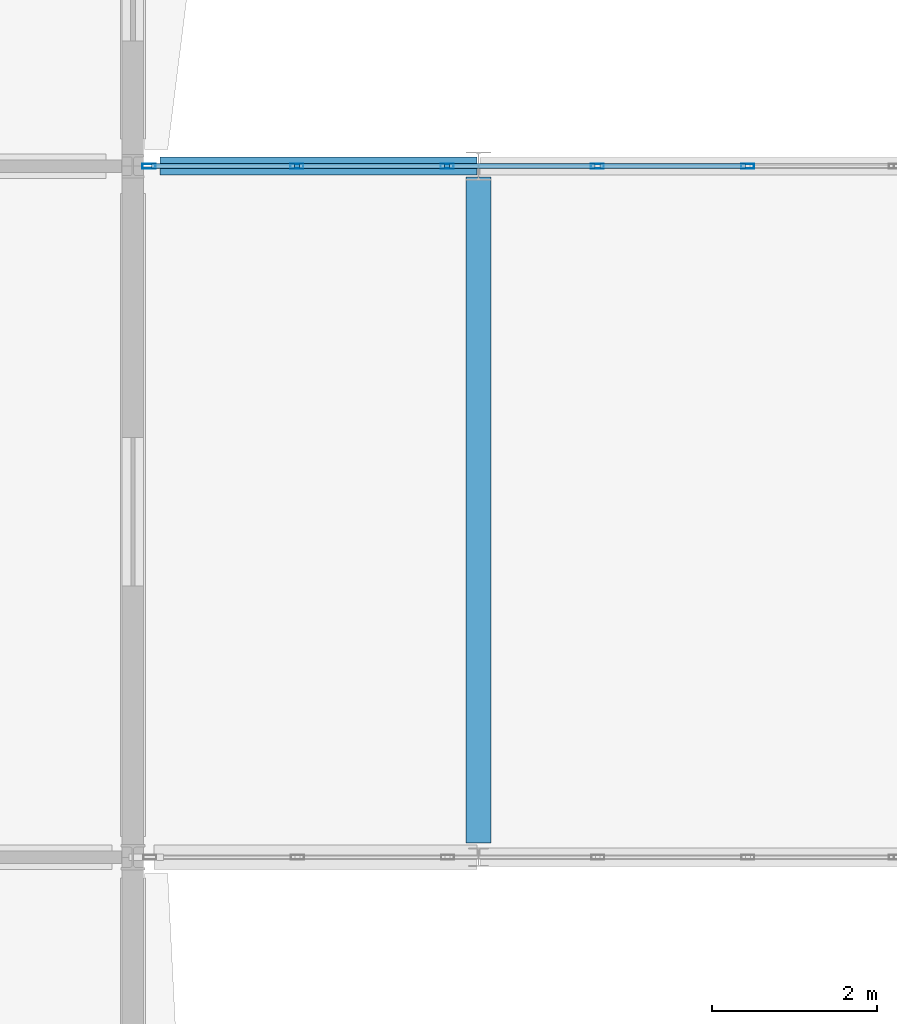
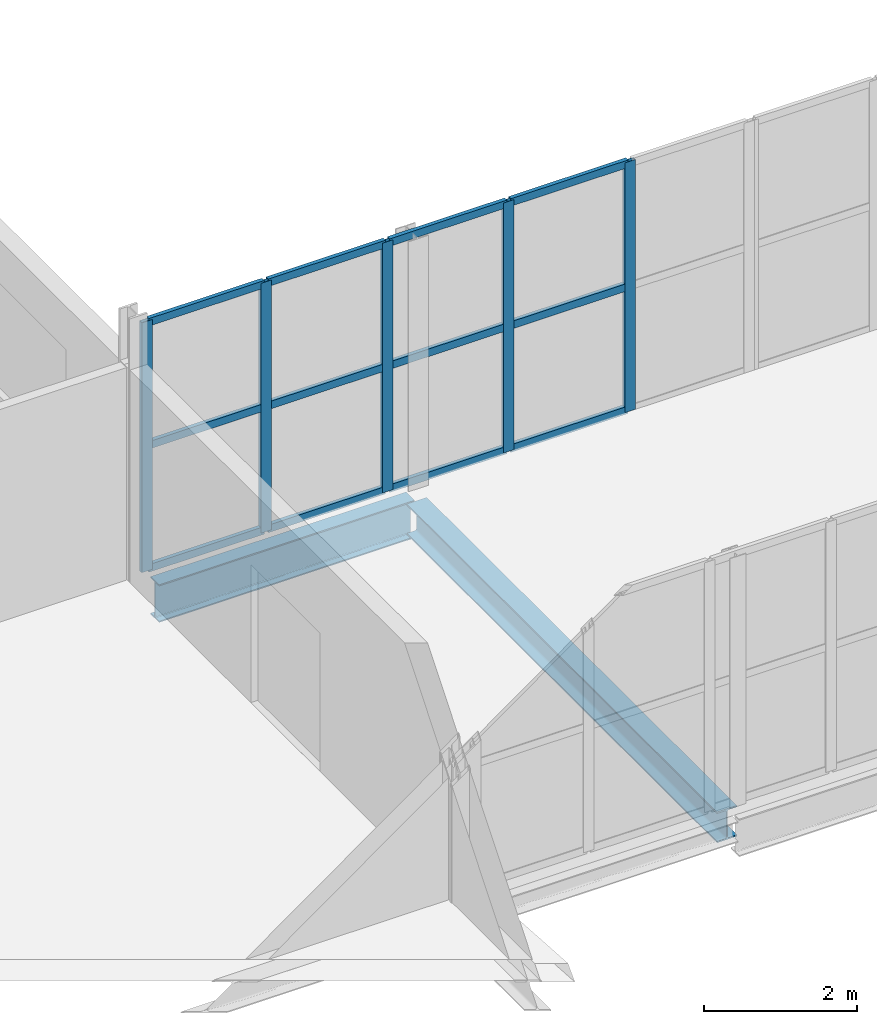
# One storey, part 55 of 138: 17 members, 2 beams, 1 element without a shape of its own.
"""IFC4 building model written with IfcOpenShell, lengths in metres."""

from ifc_helpers import new_model, si_unit, direction, frame, origin, origin_2d, place, context, subcontext, project, spatial, hollow_rectangle, i_section, extrude, material, layer, layer_set, material_profile, profile_set, type_object, element, aggregate, save


model = new_model("IFC4")

# Units and contexts
model_context = context("Model", 3, precision=1e-05, world=origin(), true_north=direction((0.0, 1.0)))
body_context = subcontext(model_context, "Body", "Model", "MODEL_VIEW")
ifc_project = project(units=[si_unit("LENGTHUNIT", "METRE"), si_unit("AREAUNIT", "SQUARE_METRE"), si_unit("VOLUMEUNIT", "CUBIC_METRE"), si_unit("PLANEANGLEUNIT", "RADIAN"), si_unit("MASSUNIT", "GRAM", prefix="KILO")], contexts=[model_context])

# Site, building, storey
site_placement = place(None, origin())
site = spatial("IfcSite", under=ifc_project, at=site_placement, CompositionType="ELEMENT")
building_placement = place(site_placement, origin())
building = spatial("IfcBuilding", under=site, at=building_placement, Name="Vinh Khe Railworks Police Headquarters", CompositionType="ELEMENT")
storey_placement = place(building_placement, frame((0.0, 0.0, 9.0)))
storey = spatial("IfcBuildingStorey", under=building, at=storey_placement, Name="L02", CompositionType="ELEMENT", Elevation=9.0)

# Curtain wall, members
ifc_material_1 = material(Name="Anodised aluminium and solar-control glass", Category="aluminium")
ifc_layer = layer(ifc_material_1, 0.159912109375)
ifc_layer_set = layer_set([ifc_layer], Name="Anodised aluminium and solar-control glass")
curtain_wall_type = type_object("IfcCurtainWallType", Name="CW-SHOPFRONT", PredefinedType="USERDEFINED", material=ifc_layer_set)
curtain_wall_placement = place(storey_placement, origin())
curtain_wall = element("IfcCurtainWall", 1, at=curtain_wall_placement, inside=storey, type_object=curtain_wall_type, Name="Link Bridge North Glazing L02 Bay 1", ObjectType="UNITISED GLAZING", PredefinedType="USERDEFINED")
ifc_material_2 = material(Name="Anodised aluminium 6063-T6", Category="aluminium")
ifc_material_profile_1 = material_profile(ifc_material_2, hollow_rectangle(XDim=0.06005859375, YDim=0.159912109375, WallThickness=0.00390625, at=origin_2d()), Name="CW-M 60x160x4")
ifc_profile_set_1 = profile_set([ifc_material_profile_1], Name="Anodised aluminium 6063-T6")
member_type_1 = type_object("IfcMemberType", Name="MULL-CWM-01", PredefinedType="MULLION", material=ifc_profile_set_1)
member_1_placement = place(storey_placement, frame((22.39501953125, 104.39990234375, 0.0), z_axis=(0.0, 0.0, 1.0), x_axis=(0.0, 1.0, 0.0)))
member_1 = element("IfcMember", 2, at=member_1_placement, type_object=member_type_1, Name="CW-03 mullion 1", PredefinedType="MULLION", context=body_context, shape_type="SweptSolid", body=[
    extrude(hollow_rectangle(XDim=0.06005859375, YDim=0.159912109375, WallThickness=0.00390625, at=origin_2d()), origin(), (0.0, 0.0, 1.0), 3.97998046875),
])
member_2_placement = place(storey_placement, frame((24.19189453125, 104.39990234375, 0.0), z_axis=(0.0, 0.0, 1.0), x_axis=(0.0, 1.0, 0.0)))
member_2 = element("IfcMember", 3, at=member_2_placement, type_object=member_type_1, Name="CW-03 mullion 2", PredefinedType="MULLION", context=body_context, shape_type="SweptSolid", body=[
    extrude(hollow_rectangle(XDim=0.06005859375, YDim=0.159912109375, WallThickness=0.00390625, at=origin_2d()), origin(), (0.0, 0.0, 1.0), 3.97998046875),
])
member_3_placement = place(storey_placement, frame((26.01904296875, 104.39990234375, 0.0), z_axis=(0.0, 0.0, 1.0), x_axis=(0.0, 1.0, 0.0)))
member_3 = element("IfcMember", 4, at=member_3_placement, type_object=member_type_1, Name="CW-03 mullion 3", PredefinedType="MULLION", context=body_context, shape_type="SweptSolid", body=[
    extrude(hollow_rectangle(XDim=0.06005859375, YDim=0.159912109375, WallThickness=0.00390625, at=origin_2d()), origin(), (0.0, 0.0, 1.0), 3.97998046875),
])
member_4_placement = place(storey_placement, frame((27.845947265625, 104.39990234375, 0.0), z_axis=(0.0, 0.0, 1.0), x_axis=(0.0, 1.0, 0.0)))
member_4 = element("IfcMember", 5, at=member_4_placement, type_object=member_type_1, Name="CW-03 mullion 4", PredefinedType="MULLION", context=body_context, shape_type="SweptSolid", body=[
    extrude(hollow_rectangle(XDim=0.06005859375, YDim=0.159912109375, WallThickness=0.00390625, at=origin_2d()), origin(), (0.0, 0.0, 1.0), 3.97998046875),
])
member_5_placement = place(storey_placement, frame((29.673095703125, 104.39990234375, 0.0), z_axis=(0.0, 0.0, 1.0), x_axis=(0.0, 1.0, 0.0)))
member_5 = element("IfcMember", 6, at=member_5_placement, type_object=member_type_1, Name="CW-03 mullion 5", PredefinedType="MULLION", context=body_context, shape_type="SweptSolid", body=[
    extrude(hollow_rectangle(XDim=0.06005859375, YDim=0.159912109375, WallThickness=0.00390625, at=origin_2d()), origin(), (0.0, 0.0, 1.0), 3.97998046875),
])

# Beams
ifc_material_3 = material(Name="Steel S355JR", Category="steel")
ifc_material_profile_2 = material_profile(ifc_material_3, i_section(OverallWidth=0.300048828125, OverallDepth=0.489990234375, WebThickness=0.011962890625, FlangeThickness=0.02294921875, FilletRadius=0.027099609375, at=origin_2d()), Name="HEA 500")
ifc_profile_set_2 = profile_set([ifc_material_profile_2], Name="Steel S355JR")
beam_type_1 = type_object("IfcBeamType", Name="Steel Girder HEA 500", PredefinedType="BEAM", material=ifc_profile_set_2)
beam_1_placement = place(storey_placement, frame((26.39990234375, 96.175048828125, -0.465087890625), z_axis=(0.0, 1.0, 0.0), x_axis=(-1.0, 0.0, 0.0)))
element("IfcBeam", 7, at=beam_1_placement, inside=storey, type_object=beam_type_1, Name="Girder BM-L02-NS-SB-12-0951", PredefinedType="BEAM", context=body_context, shape_type="SweptSolid", body=[
    extrude(i_section(OverallWidth=0.300048828125, OverallDepth=0.489990234375, WebThickness=0.011962890625, FlangeThickness=0.02294921875, FilletRadius=0.027099609375, at=origin_2d()), origin(), (0.0, 0.0, 1.0), 8.094970703125),
])
ifc_material_profile_3 = material_profile(ifc_material_3, i_section(OverallWidth=0.219970703125, OverallDepth=0.60009765625, WebThickness=0.011962890625, FlangeThickness=0.01904296875, FilletRadius=0.02392578125, at=origin_2d()), Name="IPE 600")
ifc_profile_set_3 = profile_set([ifc_material_profile_3], Name="Steel S355JR")
beam_type_2 = type_object("IfcBeamType", Name="Steel Girder IPE 600", PredefinedType="BEAM", material=ifc_profile_set_3)
beam_2_placement = place(storey_placement, frame((22.530029296875, 104.39990234375, -0.52001953125), z_axis=(1.0, 0.0, 0.0), x_axis=(0.0, 1.0, 0.0)))
element("IfcBeam", 8, at=beam_2_placement, inside=storey, type_object=beam_type_2, Name="Girder BM-L02-EW-SB-17-0819", PredefinedType="BEAM", context=body_context, shape_type="SweptSolid", body=[
    extrude(i_section(OverallWidth=0.219970703125, OverallDepth=0.60009765625, WebThickness=0.011962890625, FlangeThickness=0.01904296875, FilletRadius=0.02392578125, at=origin_2d()), origin(), (0.0, 0.0, 1.0), 3.849853515625),
])

# Member
ifc_material_profile_4 = material_profile(ifc_material_2, hollow_rectangle(XDim=0.06005859375, YDim=0.1201171875, WallThickness=0.00390625, at=origin_2d()), Name="CW-T 60x120x4")
ifc_profile_set_4 = profile_set([ifc_material_profile_4], Name="Anodised aluminium 6063-T6")
member_type_2 = type_object("IfcMemberType", Name="TRAN-CWT-01", PredefinedType="USERDEFINED", material=ifc_profile_set_4)
member_6_placement = place(storey_placement, frame((22.425048828125, 104.39990234375, 0.030029296875), z_axis=(1.0, 0.0, 0.0), x_axis=(0.0, 1.0, 0.0)))
member_6 = element("IfcMember", 9, at=member_6_placement, type_object=member_type_2, Name="CW-03 transom 1.1", ObjectType="TRANSOM", PredefinedType="USERDEFINED", context=body_context, shape_type="SweptSolid", body=[
    extrude(hollow_rectangle(XDim=0.06005859375, YDim=0.1201171875, WallThickness=0.00390625, at=origin_2d()), origin(), (0.0, 0.0, 1.0), 1.737060546875),
])

member_7_placement = place(storey_placement, frame((22.425048828125, 104.39990234375, 1.989990234375), z_axis=(1.0, 0.0, 0.0), x_axis=(0.0, 1.0, 0.0)))
member_7 = element("IfcMember", 10, at=member_7_placement, type_object=member_type_2, Name="CW-03 transom 1.2", ObjectType="TRANSOM", PredefinedType="USERDEFINED", context=body_context, shape_type="SweptSolid", body=[
    extrude(hollow_rectangle(XDim=0.06005859375, YDim=0.1201171875, WallThickness=0.00390625, at=origin_2d()), origin(), (0.0, 0.0, 1.0), 1.737060546875),
])

member_8_placement = place(storey_placement, frame((22.425048828125, 104.39990234375, 3.949951171875), z_axis=(1.0, 0.0, 0.0), x_axis=(0.0, 1.0, 0.0)))
member_8 = element("IfcMember", 11, at=member_8_placement, type_object=member_type_2, Name="CW-03 transom 1.3", ObjectType="TRANSOM", PredefinedType="USERDEFINED", context=body_context, shape_type="SweptSolid", body=[
    extrude(hollow_rectangle(XDim=0.06005859375, YDim=0.1201171875, WallThickness=0.00390625, at=origin_2d()), origin(), (0.0, 0.0, 1.0), 1.737060546875),
])

member_9_placement = place(storey_placement, frame((24.221923828125, 104.39990234375, 0.030029296875), z_axis=(1.0, 0.0, 0.0), x_axis=(0.0, 1.0, 0.0)))
member_9 = element("IfcMember", 12, at=member_9_placement, type_object=member_type_2, Name="CW-03 transom 2.1", ObjectType="TRANSOM", PredefinedType="USERDEFINED", context=body_context, shape_type="SweptSolid", body=[
    extrude(hollow_rectangle(XDim=0.06005859375, YDim=0.1201171875, WallThickness=0.00390625, at=origin_2d()), origin(), (0.0, 0.0, 1.0), 1.76708984375),
])

member_10_placement = place(storey_placement, frame((24.221923828125, 104.39990234375, 1.989990234375), z_axis=(1.0, 0.0, 0.0), x_axis=(0.0, 1.0, 0.0)))
member_10 = element("IfcMember", 13, at=member_10_placement, type_object=member_type_2, Name="CW-03 transom 2.2", ObjectType="TRANSOM", PredefinedType="USERDEFINED", context=body_context, shape_type="SweptSolid", body=[
    extrude(hollow_rectangle(XDim=0.06005859375, YDim=0.1201171875, WallThickness=0.00390625, at=origin_2d()), origin(), (0.0, 0.0, 1.0), 1.76708984375),
])

member_11_placement = place(storey_placement, frame((24.221923828125, 104.39990234375, 3.949951171875), z_axis=(1.0, 0.0, 0.0), x_axis=(0.0, 1.0, 0.0)))
member_11 = element("IfcMember", 14, at=member_11_placement, type_object=member_type_2, Name="CW-03 transom 2.3", ObjectType="TRANSOM", PredefinedType="USERDEFINED", context=body_context, shape_type="SweptSolid", body=[
    extrude(hollow_rectangle(XDim=0.06005859375, YDim=0.1201171875, WallThickness=0.00390625, at=origin_2d()), origin(), (0.0, 0.0, 1.0), 1.76708984375),
])

member_12_placement = place(storey_placement, frame((26.049072265625, 104.39990234375, 0.030029296875), z_axis=(1.0, 0.0, 0.0), x_axis=(0.0, 1.0, 0.0)))
member_12 = element("IfcMember", 15, at=member_12_placement, type_object=member_type_2, Name="CW-03 transom 3.1", ObjectType="TRANSOM", PredefinedType="USERDEFINED", context=body_context, shape_type="SweptSolid", body=[
    extrude(hollow_rectangle(XDim=0.06005859375, YDim=0.1201171875, WallThickness=0.00390625, at=origin_2d()), origin(), (0.0, 0.0, 1.0), 1.766845703125),
])

member_13_placement = place(storey_placement, frame((26.049072265625, 104.39990234375, 1.989990234375), z_axis=(1.0, 0.0, 0.0), x_axis=(0.0, 1.0, 0.0)))
member_13 = element("IfcMember", 16, at=member_13_placement, type_object=member_type_2, Name="CW-03 transom 3.2", ObjectType="TRANSOM", PredefinedType="USERDEFINED", context=body_context, shape_type="SweptSolid", body=[
    extrude(hollow_rectangle(XDim=0.06005859375, YDim=0.1201171875, WallThickness=0.00390625, at=origin_2d()), origin(), (0.0, 0.0, 1.0), 1.766845703125),
])

member_14_placement = place(storey_placement, frame((26.049072265625, 104.39990234375, 3.949951171875), z_axis=(1.0, 0.0, 0.0), x_axis=(0.0, 1.0, 0.0)))
member_14 = element("IfcMember", 17, at=member_14_placement, type_object=member_type_2, Name="CW-03 transom 3.3", ObjectType="TRANSOM", PredefinedType="USERDEFINED", context=body_context, shape_type="SweptSolid", body=[
    extrude(hollow_rectangle(XDim=0.06005859375, YDim=0.1201171875, WallThickness=0.00390625, at=origin_2d()), origin(), (0.0, 0.0, 1.0), 1.766845703125),
])

member_15_placement = place(storey_placement, frame((27.8759765625, 104.39990234375, 0.030029296875), z_axis=(1.0, 0.0, 0.0), x_axis=(0.0, 1.0, 0.0)))
member_15 = element("IfcMember", 18, at=member_15_placement, type_object=member_type_2, Name="CW-03 transom 4.1", ObjectType="TRANSOM", PredefinedType="USERDEFINED", context=body_context, shape_type="SweptSolid", body=[
    extrude(hollow_rectangle(XDim=0.06005859375, YDim=0.1201171875, WallThickness=0.00390625, at=origin_2d()), origin(), (0.0, 0.0, 1.0), 1.76708984375),
])

member_16_placement = place(storey_placement, frame((27.8759765625, 104.39990234375, 1.989990234375), z_axis=(1.0, 0.0, 0.0), x_axis=(0.0, 1.0, 0.0)))
member_16 = element("IfcMember", 19, at=member_16_placement, type_object=member_type_2, Name="CW-03 transom 4.2", ObjectType="TRANSOM", PredefinedType="USERDEFINED", context=body_context, shape_type="SweptSolid", body=[
    extrude(hollow_rectangle(XDim=0.06005859375, YDim=0.1201171875, WallThickness=0.00390625, at=origin_2d()), origin(), (0.0, 0.0, 1.0), 1.76708984375),
])

member_17_placement = place(storey_placement, frame((27.8759765625, 104.39990234375, 3.949951171875), z_axis=(1.0, 0.0, 0.0), x_axis=(0.0, 1.0, 0.0)))
member_17 = element("IfcMember", 20, at=member_17_placement, type_object=member_type_2, Name="CW-03 transom 4.3", ObjectType="TRANSOM", PredefinedType="USERDEFINED", context=body_context, shape_type="SweptSolid", body=[
    extrude(hollow_rectangle(XDim=0.06005859375, YDim=0.1201171875, WallThickness=0.00390625, at=origin_2d()), origin(), (0.0, 0.0, 1.0), 1.76708984375),
])

aggregate(curtain_wall, [member_1, member_2, member_3, member_4, member_5, member_6, member_7, member_8, member_9, member_10, member_11, member_12, member_13, member_14, member_15, member_16, member_17])

save(model, "model.ifc")
